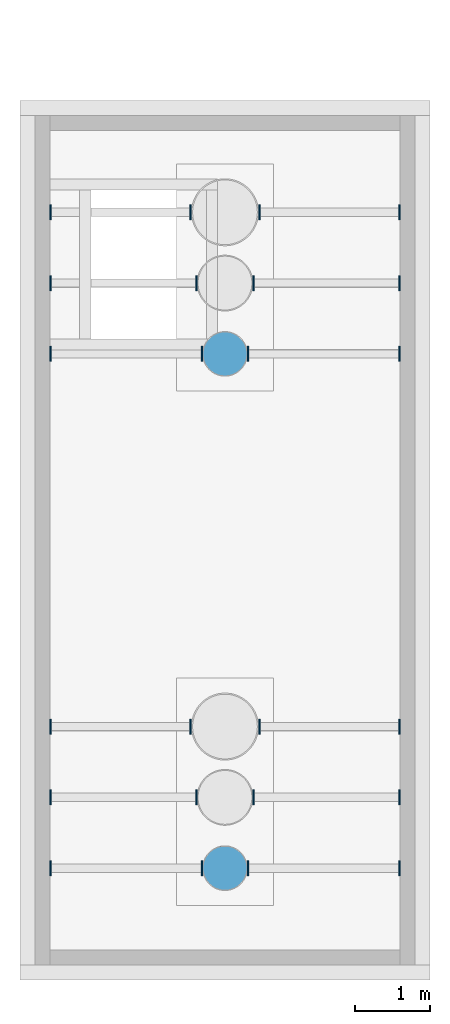
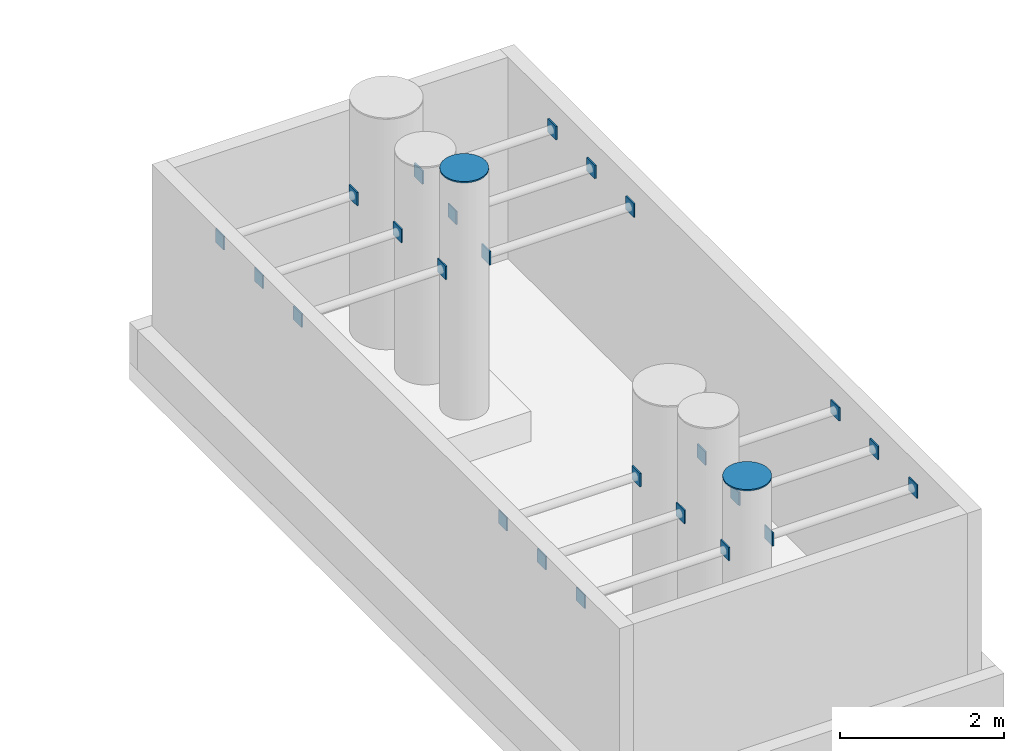
# One storey, part 5 of 7: 26 discrete accessories.
"""IFC4 building model written with IfcOpenShell, lengths in metres."""

from ifc_helpers import new_model, si_unit, direction, frame, origin, origin_2d, place, context, subcontext, project, spatial, polyline, rectangle, outline, extrude, material, type_object, element, save


model = new_model("IFC4")

# Units and contexts
model_context = context("Model", 3, precision=1e-05, world=origin(), true_north=direction((0.0, 1.0)))
body_context = subcontext(model_context, "Body", "Model", "MODEL_VIEW")
ifc_project = project(units=[si_unit("LENGTHUNIT", "METRE"), si_unit("AREAUNIT", "SQUARE_METRE"), si_unit("VOLUMEUNIT", "CUBIC_METRE"), si_unit("PLANEANGLEUNIT", "RADIAN"), si_unit("MASSUNIT", "GRAM", prefix="KILO")], contexts=[model_context])

# Site, building, storey
site_placement = place(None, origin())
site = spatial("IfcSite", under=ifc_project, at=site_placement, CompositionType="ELEMENT")
building_placement = place(site_placement, origin())
building = spatial("IfcBuilding", under=site, at=building_placement, Name="Basin Gate Institute", CompositionType="ELEMENT")
storey_placement = place(building_placement, frame((0.0, 0.0, 78.60009765625)))
storey = spatial("IfcBuildingStorey", under=building, at=storey_placement, Name="UPPER ROOF", CompositionType="ELEMENT", Elevation=78.60009765625)

# Discrete accessories
ifc_material_1 = material(Name="Structural steel SN490", Category="steel")
discrete_accessory_type_1 = type_object("IfcDiscreteAccessoryType", Name="Brace end plate BP200", PredefinedType="BRACKET", material=ifc_material_1)
for number, where, z_axis, x_axis, name in (
    (1, (63.139892578125, 36.10009765625, 2.75), (0.0, 0.0, 1.0), (1.0, 0.0, 0.0), "Exhaust pipe tie TD5 WS 1a end plate 1"),
    (2, (61.110107421875, 36.10009765625, 2.75), (0.0, 0.0, 1.0), (1.0, 0.0, 0.0), "Exhaust pipe tie TD5 WS 1a end plate 2"),
    (3, (63.760009765625, 36.10009765625, 2.75), (0.0, 0.0, 1.0), (1.0, 0.0, 0.0), "Exhaust pipe tie TD5 WS 1b end plate 1"),
    (4, (65.7900390625, 36.10009765625, 2.75), (0.0, 0.0, 1.0), (1.0, 0.0, 0.0), "Exhaust pipe tie TD5 WS 1b end plate 2"),
    (5, (63.06494140625, 37.050048828125, 2.75), (0.0, 0.0, 1.0), (1.0, 0.0, 0.0), "Exhaust pipe tie TD5 WS 2a end plate 1"),
    (6, (61.110107421875, 37.050048828125, 2.75), (0.0, 0.0, 1.0), (1.0, 0.0, 0.0), "Exhaust pipe tie TD5 WS 2a end plate 2"),
    (7, (63.8349609375, 37.050048828125, 2.75), (0.0, 0.0, 1.0), (1.0, 0.0, 0.0), "Exhaust pipe tie TD5 WS 2b end plate 1"),
    (8, (65.7900390625, 37.050048828125, 2.75), (0.0, 0.0, 1.0), (1.0, 0.0, 0.0), "Exhaust pipe tie TD5 WS 2b end plate 2"),
    (9, (62.989990234375, 38.0, 2.75), (0.0, 0.0, 1.0), (1.0, 0.0, 0.0), "Exhaust pipe tie TD5 WS 3a end plate 1"),
    (10, (61.110107421875, 38.0, 2.75), (0.0, 0.0, 1.0), (1.0, 0.0, 0.0), "Exhaust pipe tie TD5 WS 3a end plate 2"),
    (11, (63.909912109375, 38.0, 2.75), (0.0, 0.0, 1.0), (1.0, 0.0, 0.0), "Exhaust pipe tie TD5 WS 3b end plate 1"),
    (12, (65.7900390625, 38.0, 2.75), (0.0, 0.0, 1.0), (1.0, 0.0, 0.0), "Exhaust pipe tie TD5 WS 3b end plate 2"),
    (13, (63.139892578125, 43.0, 2.75), (0.0, 0.0, 1.0), (1.0, 0.0, 0.0), "Exhaust pipe tie TD5 WS 4a end plate 1"),
    (14, (61.110107421875, 43.0, 2.75), (0.0, 0.0, 1.0), (1.0, 0.0, 0.0), "Exhaust pipe tie TD5 WS 4a end plate 2"),
    (15, (63.760009765625, 43.0, 2.75), (0.0, 0.0, 1.0), (1.0, 0.0, 0.0), "Exhaust pipe tie TD5 WS 4b end plate 1"),
    (16, (65.7900390625, 43.0, 2.75), (0.0, 0.0, 1.0), (1.0, 0.0, 0.0), "Exhaust pipe tie TD5 WS 4b end plate 2"),
    (17, (63.06494140625, 43.949951171875, 2.75), (0.0, 0.0, 1.0), (1.0, 0.0, 0.0), "Exhaust pipe tie TD5 WS 5a end plate 1"),
    (18, (61.110107421875, 43.949951171875, 2.75), (0.0, 0.0, 1.0), (1.0, 0.0, 0.0), "Exhaust pipe tie TD5 WS 5a end plate 2"),
    (19, (63.8349609375, 43.949951171875, 2.75), (0.0, 0.0, 1.0), (1.0, 0.0, 0.0), "Exhaust pipe tie TD5 WS 5b end plate 1"),
    (20, (65.7900390625, 43.949951171875, 2.75), (0.0, 0.0, 1.0), (1.0, 0.0, 0.0), "Exhaust pipe tie TD5 WS 5b end plate 2"),
    (21, (62.989990234375, 44.89990234375, 2.75), (0.0, 0.0, 1.0), (1.0, 0.0, 0.0), "Exhaust pipe tie TD5 WS 6a end plate 1"),
    (22, (61.110107421875, 44.89990234375, 2.75), (0.0, 0.0, 1.0), (1.0, 0.0, 0.0), "Exhaust pipe tie TD5 WS 6a end plate 2"),
    (23, (63.909912109375, 44.89990234375, 2.75), (0.0, 0.0, 1.0), (1.0, 0.0, 0.0), "Exhaust pipe tie TD5 WS 6b end plate 1"),
    (24, (65.7900390625, 44.89990234375, 2.75), (0.0, 0.0, 1.0), (1.0, 0.0, 0.0), "Exhaust pipe tie TD5 WS 6b end plate 2"),
):
    element("IfcDiscreteAccessory", number, at=place(storey_placement, frame(where, z_axis=z_axis, x_axis=x_axis)), inside=storey, type_object=discrete_accessory_type_1, material=ifc_material_1, Name=name, PredefinedType="BRACKET", context=body_context, shape_type="SweptSolid", body=[
        extrude(rectangle(XDim=0.02001953125, YDim=0.199951171875, at=origin_2d()), origin(), (0.0, 0.0, 1.0), 0.199951171875),
    ])
ifc_material_2 = material(Name="Structural steel SN490", Category="steel")
discrete_accessory_type_2 = type_object("IfcDiscreteAccessoryType", Name="Exhaust pipe cap plate PC600", PredefinedType="BRACKET", material=ifc_material_2)
discrete_accessory_1_placement = place(storey_placement, frame((0.0, 0.0, 3.829833984375)))
element("IfcDiscreteAccessory", 25, at=discrete_accessory_1_placement, inside=storey, type_object=discrete_accessory_type_2, material=ifc_material_2, Name="Exhaust pipe EX1 WS 1 cap plate", PredefinedType="BRACKET", context=body_context, shape_type="SweptSolid", body=[
    extrude(outline(polyline([(63.75, 36.10009765625), (63.744140625, 36.158447265625), (63.727294921875, 36.21484375), (63.699462890625, 36.2666015625), (63.662109375, 36.31201171875), (63.61669921875, 36.349365234375), (63.564697265625, 36.377197265625), (63.508544921875, 36.394287109375), (63.449951171875, 36.39990234375), (63.3916015625, 36.394287109375), (63.335205078125, 36.377197265625), (63.283203125, 36.349365234375), (63.23779296875, 36.31201171875), (63.20068359375, 36.2666015625), (63.1728515625, 36.21484375), (63.15576171875, 36.158447265625), (63.14990234375, 36.10009765625), (63.15576171875, 36.04150390625), (63.1728515625, 35.985107421875), (63.20068359375, 35.933349609375), (63.23779296875, 35.887939453125), (63.283203125, 35.8505859375), (63.335205078125, 35.82275390625), (63.3916015625, 35.805908203125), (63.449951171875, 35.800048828125), (63.508544921875, 35.805908203125), (63.564697265625, 35.82275390625), (63.61669921875, 35.8505859375), (63.662109375, 35.887939453125), (63.699462890625, 35.933349609375), (63.727294921875, 35.985107421875), (63.744140625, 36.04150390625), (63.75, 36.10009765625)])), origin(), (0.0, 0.0, 1.0), 0.02001953125),
])
discrete_accessory_2_placement = place(storey_placement, frame((0.0, 0.0, 4.22998046875)))
element("IfcDiscreteAccessory", 26, at=discrete_accessory_2_placement, inside=storey, type_object=discrete_accessory_type_2, material=ifc_material_2, Name="Exhaust pipe EX1 WS 4 cap plate", PredefinedType="BRACKET", context=body_context, shape_type="SweptSolid", body=[
    extrude(outline(polyline([(63.75, 43.0), (63.744140625, 43.05859375), (63.727294921875, 43.11474609375), (63.699462890625, 43.166748046875), (63.662109375, 43.212158203125), (63.61669921875, 43.24951171875), (63.564697265625, 43.277099609375), (63.508544921875, 43.294189453125), (63.449951171875, 43.300048828125), (63.3916015625, 43.294189453125), (63.335205078125, 43.277099609375), (63.283203125, 43.24951171875), (63.23779296875, 43.212158203125), (63.20068359375, 43.166748046875), (63.1728515625, 43.11474609375), (63.15576171875, 43.05859375), (63.14990234375, 43.0), (63.15576171875, 42.94140625), (63.1728515625, 42.88525390625), (63.20068359375, 42.833251953125), (63.23779296875, 42.787841796875), (63.283203125, 42.75048828125), (63.335205078125, 42.722900390625), (63.3916015625, 42.705810546875), (63.449951171875, 42.699951171875), (63.508544921875, 42.705810546875), (63.564697265625, 42.722900390625), (63.61669921875, 42.75048828125), (63.662109375, 42.787841796875), (63.699462890625, 42.833251953125), (63.727294921875, 42.88525390625), (63.744140625, 42.94140625), (63.75, 43.0)])), origin(), (0.0, 0.0, 1.0), 0.02001953125),
])

save(model, "model.ifc")
